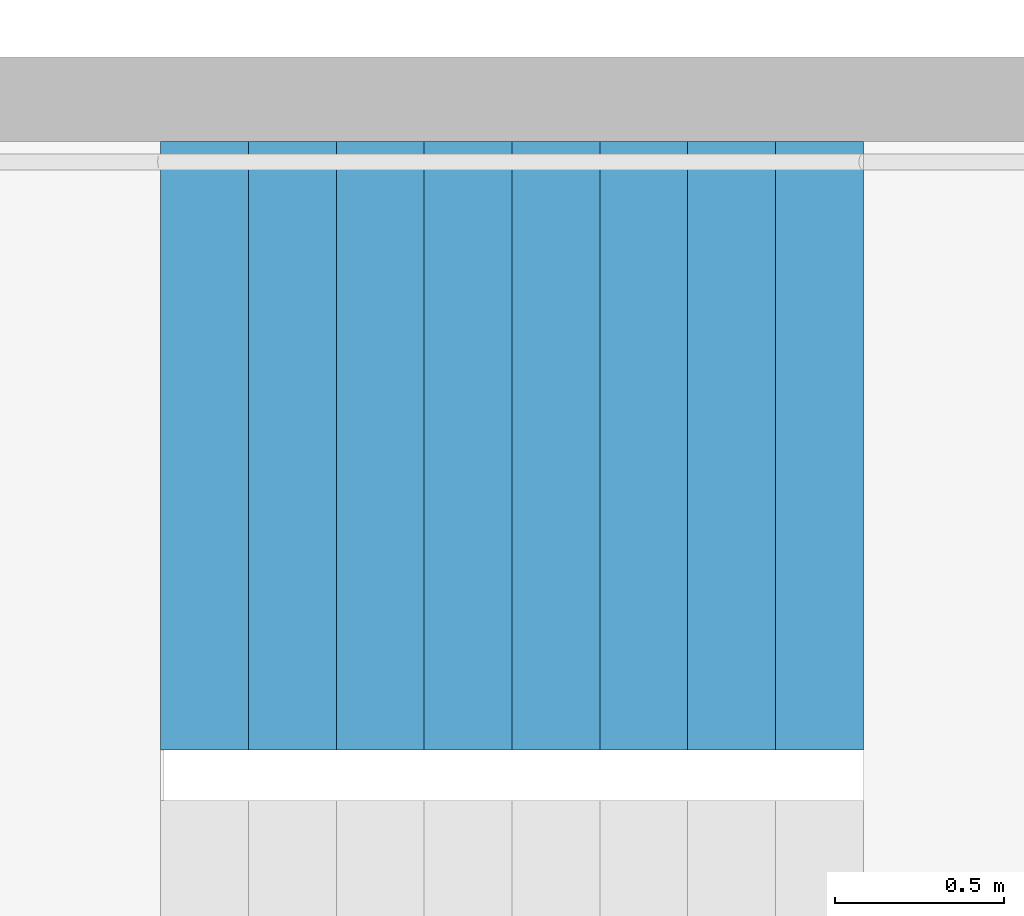
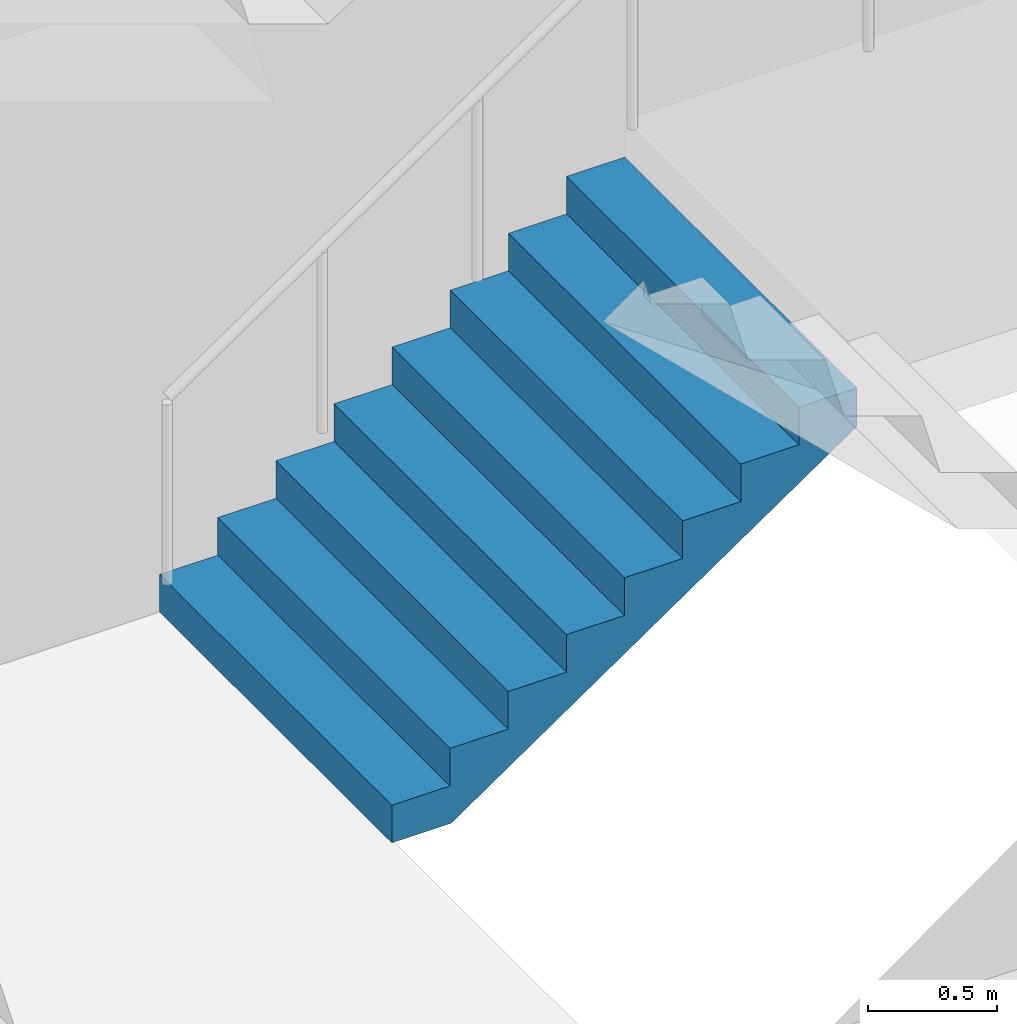
# One storey, part 27 of 43: 1 stair flight, 1 element without a shape of its own.
"""IFC4 building model written with IfcOpenShell, lengths in metres."""

from ifc_helpers import new_model, si_unit, direction, frame, origin, place, context, subcontext, project, spatial, triangles, material, type_object, element, aggregate, save


model = new_model("IFC4")

# Units and contexts
model_context = context("Model", 3, precision=1e-05, world=origin(), true_north=direction((0.0, 1.0)))
body_context = subcontext(model_context, "Body", "Model", "MODEL_VIEW")
ifc_project = project(units=[si_unit("LENGTHUNIT", "METRE"), si_unit("AREAUNIT", "SQUARE_METRE"), si_unit("VOLUMEUNIT", "CUBIC_METRE"), si_unit("PLANEANGLEUNIT", "RADIAN"), si_unit("MASSUNIT", "GRAM", prefix="KILO")], contexts=[model_context])

# Site, building, storey
site_placement = place(None, origin())
site = spatial("IfcSite", under=ifc_project, at=site_placement, CompositionType="ELEMENT")
building_placement = place(site_placement, origin())
building = spatial("IfcBuilding", under=site, at=building_placement, Name="Hakoniwa Tower and Hamabe Station Hall", CompositionType="ELEMENT")
storey_placement = place(building_placement, frame((0.0, 0.0, 124.60009765625)))
storey = spatial("IfcBuildingStorey", under=building, at=storey_placement, Name="L35", CompositionType="ELEMENT", Elevation=124.60009765625)

# Stair, stair flight
ifc_material_1 = material(Name="Concrete C40", Category="concrete")
stair_type = type_object("IfcStairType", Name="ESCAPE STAIR 1800", PredefinedType="HALF_TURN_STAIR", material=ifc_material_1)
stair_placement = place(storey_placement, origin())
stair = element("IfcStair", 1, at=stair_placement, inside=storey, type_object=stair_type, Name="Escape stair ST-4 L35", PredefinedType="HALF_TURN_STAIR")
ifc_material_2 = material(Name="Concrete C40", Category="concrete")
stair_flight_type = type_object("IfcStairFlightType", Name="STAIR FLIGHT 1800", PredefinedType="STRAIGHT", material=ifc_material_2)
stair_flight_placement = place(storey_placement, frame((23.39990234375, -4.64990234375, 0.0), z_axis=(0.0, 0.0, 1.0), x_axis=(1.0, 0.0, 0.0)))
stair_flight = element("IfcStairFlight", 2, at=stair_flight_placement, type_object=stair_flight_type, Name="ST-4 flight 1", NumberOfRisers=9, NumberOfTreads=8, PredefinedType="STRAIGHT", RiserHeight=0.177777778, TreadLength=0.26, context=body_context, shape_type="Tessellation", body=[
    triangles([(0.0, 0.89990234375, 0.0), (0.260009765625, 0.89990234375, 0.0), (0.265625, 0.89990234375, 0.0), (0.52001953125, 0.89990234375, 0.174072265625), (0.780029296875, 0.89990234375, 0.351806640625), (1.0400390625, 0.89990234375, 0.529541015625), (1.300048828125, 0.89990234375, 0.707275390625), (1.56005859375, 0.89990234375, 0.885009765625), (1.820068359375, 0.89990234375, 1.062744140625), (2.080078125, 0.89990234375, 1.24072265625), (2.080078125, 0.89990234375, 1.422119140625), (1.820068359375, 0.89990234375, 1.422119140625), (1.820068359375, 0.89990234375, 1.244384765625), (1.56005859375, 0.89990234375, 1.244384765625), (1.56005859375, 0.89990234375, 1.066650390625), (1.300048828125, 0.89990234375, 1.066650390625), (1.300048828125, 0.89990234375, 0.888916015625), (1.0400390625, 0.89990234375, 0.888916015625), (1.0400390625, 0.89990234375, 0.711181640625), (0.780029296875, 0.89990234375, 0.711181640625), (0.780029296875, 0.89990234375, 0.533447265625), (0.52001953125, 0.89990234375, 0.533447265625), (0.52001953125, 0.89990234375, 0.35546875), (0.265625, 0.89990234375, 0.35546875), (0.260009765625, 0.89990234375, 0.35546875), (0.260009765625, 0.89990234375, 0.177734375), (0.0, 0.89990234375, 0.177734375), (0.0, 0.06005859375, 0.0), (0.260009765625, 0.06005859375, 0.0), (0.265625, 0.06005859375, 0.0), (0.52001953125, 0.06005859375, 0.174072265625), (0.780029296875, 0.06005859375, 0.351806640625), (1.0400390625, 0.06005859375, 0.529541015625), (1.300048828125, 0.06005859375, 0.707275390625), (1.56005859375, 0.06005859375, 0.885009765625), (1.820068359375, 0.06005859375, 1.062744140625), (2.080078125, 0.06005859375, 1.24072265625), (2.080078125, 0.06005859375, 1.422119140625), (1.820068359375, 0.06005859375, 1.422119140625), (1.820068359375, 0.06005859375, 1.244384765625), (1.56005859375, 0.06005859375, 1.244384765625), (1.56005859375, 0.06005859375, 1.066650390625), (1.300048828125, 0.06005859375, 1.066650390625), (1.300048828125, 0.06005859375, 0.888916015625), (1.0400390625, 0.06005859375, 0.888916015625), (1.0400390625, 0.06005859375, 0.711181640625), (0.780029296875, 0.06005859375, 0.711181640625), (0.780029296875, 0.06005859375, 0.533447265625), (0.52001953125, 0.06005859375, 0.533447265625), (0.52001953125, 0.06005859375, 0.35546875), (0.265625, 0.06005859375, 0.35546875), (0.260009765625, 0.06005859375, 0.35546875), (0.260009765625, 0.06005859375, 0.177734375), (0.0, 0.06005859375, 0.177734375), (0.0, 0.04296875, 0.0), (0.260009765625, 0.04296875, 0.0), (0.265625, 0.04296875, 0.0), (0.52001953125, 0.04296875, 0.174072265625), (0.780029296875, 0.04296875, 0.351806640625), (1.0400390625, 0.04296875, 0.529541015625), (1.300048828125, 0.04296875, 0.707275390625), (1.56005859375, 0.04296875, 0.885009765625), (1.820068359375, 0.04296875, 1.062744140625), (2.080078125, 0.04296875, 1.24072265625), (2.080078125, 0.04296875, 1.422119140625), (1.820068359375, 0.04296875, 1.422119140625), (1.820068359375, 0.04296875, 1.244384765625), (1.56005859375, 0.04296875, 1.244384765625), (1.56005859375, 0.04296875, 1.066650390625), (1.300048828125, 0.04296875, 1.066650390625), (1.300048828125, 0.04296875, 0.888916015625), (1.0400390625, 0.04296875, 0.888916015625), (1.0400390625, 0.04296875, 0.711181640625), (0.780029296875, 0.04296875, 0.711181640625), (0.780029296875, 0.04296875, 0.533447265625), (0.52001953125, 0.04296875, 0.533447265625), (0.52001953125, 0.04296875, 0.35546875), (0.265625, 0.04296875, 0.35546875), (0.260009765625, 0.04296875, 0.35546875), (0.260009765625, 0.04296875, 0.177734375), (0.0, 0.04296875, 0.177734375), (0.0, 0.025634765625, 0.0), (0.260009765625, 0.025634765625, 0.0), (0.265625, 0.025634765625, 0.0), (0.52001953125, 0.025634765625, 0.174072265625), (0.780029296875, 0.025634765625, 0.351806640625), (1.0400390625, 0.025634765625, 0.529541015625), (1.300048828125, 0.025634765625, 0.707275390625), (1.56005859375, 0.025634765625, 0.885009765625), (1.820068359375, 0.025634765625, 1.062744140625), (2.080078125, 0.025634765625, 1.24072265625), (2.080078125, 0.025634765625, 1.422119140625), (1.820068359375, 0.025634765625, 1.422119140625), (1.820068359375, 0.025634765625, 1.244384765625), (1.56005859375, 0.025634765625, 1.244384765625), (1.56005859375, 0.025634765625, 1.066650390625), (1.300048828125, 0.025634765625, 1.066650390625), (1.300048828125, 0.025634765625, 0.888916015625), (1.0400390625, 0.025634765625, 0.888916015625), (1.0400390625, 0.025634765625, 0.711181640625), (0.780029296875, 0.025634765625, 0.711181640625), (0.780029296875, 0.025634765625, 0.533447265625), (0.52001953125, 0.025634765625, 0.533447265625), (0.52001953125, 0.025634765625, 0.35546875), (0.265625, 0.025634765625, 0.35546875), (0.260009765625, 0.025634765625, 0.35546875), (0.260009765625, 0.025634765625, 0.177734375), (0.0, 0.025634765625, 0.177734375), (0.0, 0.008544921875, 0.0), (0.260009765625, 0.008544921875, 0.0), (0.265625, 0.008544921875, 0.0), (0.52001953125, 0.008544921875, 0.174072265625), (0.780029296875, 0.008544921875, 0.351806640625), (1.0400390625, 0.008544921875, 0.529541015625), (1.300048828125, 0.008544921875, 0.707275390625), (1.56005859375, 0.008544921875, 0.885009765625), (1.820068359375, 0.008544921875, 1.062744140625), (2.080078125, 0.008544921875, 1.24072265625), (2.080078125, 0.008544921875, 1.422119140625), (1.820068359375, 0.008544921875, 1.422119140625), (1.820068359375, 0.008544921875, 1.244384765625), (1.56005859375, 0.008544921875, 1.244384765625), (1.56005859375, 0.008544921875, 1.066650390625), (1.300048828125, 0.008544921875, 1.066650390625), (1.300048828125, 0.008544921875, 0.888916015625), (1.0400390625, 0.008544921875, 0.888916015625), (1.0400390625, 0.008544921875, 0.711181640625), (0.780029296875, 0.008544921875, 0.711181640625), (0.780029296875, 0.008544921875, 0.533447265625), (0.52001953125, 0.008544921875, 0.533447265625), (0.52001953125, 0.008544921875, 0.35546875), (0.265625, 0.008544921875, 0.35546875), (0.260009765625, 0.008544921875, 0.35546875), (0.260009765625, 0.008544921875, 0.177734375), (0.0, 0.008544921875, 0.177734375), (0.0, -0.008544921875, 0.0), (0.260009765625, -0.008544921875, 0.0), (0.265625, -0.008544921875, 0.0), (0.52001953125, -0.008544921875, 0.174072265625), (0.780029296875, -0.008544921875, 0.351806640625), (1.0400390625, -0.008544921875, 0.529541015625), (1.300048828125, -0.008544921875, 0.707275390625), (1.56005859375, -0.008544921875, 0.885009765625), (1.820068359375, -0.008544921875, 1.062744140625), (2.080078125, -0.008544921875, 1.24072265625), (2.080078125, -0.008544921875, 1.422119140625), (1.820068359375, -0.008544921875, 1.422119140625), (1.820068359375, -0.008544921875, 1.244384765625), (1.56005859375, -0.008544921875, 1.244384765625), (1.56005859375, -0.008544921875, 1.066650390625), (1.300048828125, -0.008544921875, 1.066650390625), (1.300048828125, -0.008544921875, 0.888916015625), (1.0400390625, -0.008544921875, 0.888916015625), (1.0400390625, -0.008544921875, 0.711181640625), (0.780029296875, -0.008544921875, 0.711181640625), (0.780029296875, -0.008544921875, 0.533447265625), (0.52001953125, -0.008544921875, 0.533447265625), (0.52001953125, -0.008544921875, 0.35546875), (0.265625, -0.008544921875, 0.35546875), (0.260009765625, -0.008544921875, 0.35546875), (0.260009765625, -0.008544921875, 0.177734375), (0.0, -0.008544921875, 0.177734375), (0.0, -0.025634765625, 0.0), (0.260009765625, -0.025634765625, 0.0), (0.265625, -0.025634765625, 0.0), (0.52001953125, -0.025634765625, 0.174072265625), (0.780029296875, -0.025634765625, 0.351806640625), (1.0400390625, -0.025634765625, 0.529541015625), (1.300048828125, -0.025634765625, 0.707275390625), (1.56005859375, -0.025634765625, 0.885009765625), (1.820068359375, -0.025634765625, 1.062744140625), (2.080078125, -0.025634765625, 1.24072265625), (2.080078125, -0.025634765625, 1.422119140625), (1.820068359375, -0.025634765625, 1.422119140625), (1.820068359375, -0.025634765625, 1.244384765625), (1.56005859375, -0.025634765625, 1.244384765625), (1.56005859375, -0.025634765625, 1.066650390625), (1.300048828125, -0.025634765625, 1.066650390625), (1.300048828125, -0.025634765625, 0.888916015625), (1.0400390625, -0.025634765625, 0.888916015625), (1.0400390625, -0.025634765625, 0.711181640625), (0.780029296875, -0.025634765625, 0.711181640625), (0.780029296875, -0.025634765625, 0.533447265625), (0.52001953125, -0.025634765625, 0.533447265625), (0.52001953125, -0.025634765625, 0.35546875), (0.265625, -0.025634765625, 0.35546875), (0.260009765625, -0.025634765625, 0.35546875), (0.260009765625, -0.025634765625, 0.177734375), (0.0, -0.025634765625, 0.177734375), (0.0, -0.04296875, 0.0), (0.260009765625, -0.04296875, 0.0), (0.265625, -0.04296875, 0.0), (0.52001953125, -0.04296875, 0.174072265625), (0.780029296875, -0.04296875, 0.351806640625), (1.0400390625, -0.04296875, 0.529541015625), (1.300048828125, -0.04296875, 0.707275390625), (1.56005859375, -0.04296875, 0.885009765625), (1.820068359375, -0.04296875, 1.062744140625), (2.080078125, -0.04296875, 1.24072265625), (2.080078125, -0.04296875, 1.422119140625), (1.820068359375, -0.04296875, 1.422119140625), (1.820068359375, -0.04296875, 1.244384765625), (1.56005859375, -0.04296875, 1.244384765625), (1.56005859375, -0.04296875, 1.066650390625), (1.300048828125, -0.04296875, 1.066650390625), (1.300048828125, -0.04296875, 0.888916015625), (1.0400390625, -0.04296875, 0.888916015625), (1.0400390625, -0.04296875, 0.711181640625), (0.780029296875, -0.04296875, 0.711181640625), (0.780029296875, -0.04296875, 0.533447265625), (0.52001953125, -0.04296875, 0.533447265625), (0.52001953125, -0.04296875, 0.35546875), (0.265625, -0.04296875, 0.35546875), (0.260009765625, -0.04296875, 0.35546875), (0.260009765625, -0.04296875, 0.177734375), (0.0, -0.04296875, 0.177734375), (0.0, -0.06005859375, 0.0), (0.260009765625, -0.06005859375, 0.0), (0.265625, -0.06005859375, 0.0), (0.52001953125, -0.06005859375, 0.174072265625), (0.780029296875, -0.06005859375, 0.351806640625), (1.0400390625, -0.06005859375, 0.529541015625), (1.300048828125, -0.06005859375, 0.707275390625), (1.56005859375, -0.06005859375, 0.885009765625), (1.820068359375, -0.06005859375, 1.062744140625), (2.080078125, -0.06005859375, 1.24072265625), (2.080078125, -0.06005859375, 1.422119140625), (1.820068359375, -0.06005859375, 1.422119140625), (1.820068359375, -0.06005859375, 1.244384765625), (1.56005859375, -0.06005859375, 1.244384765625), (1.56005859375, -0.06005859375, 1.066650390625), (1.300048828125, -0.06005859375, 1.066650390625), (1.300048828125, -0.06005859375, 0.888916015625), (1.0400390625, -0.06005859375, 0.888916015625), (1.0400390625, -0.06005859375, 0.711181640625), (0.780029296875, -0.06005859375, 0.711181640625), (0.780029296875, -0.06005859375, 0.533447265625), (0.52001953125, -0.06005859375, 0.533447265625), (0.52001953125, -0.06005859375, 0.35546875), (0.265625, -0.06005859375, 0.35546875), (0.260009765625, -0.06005859375, 0.35546875), (0.260009765625, -0.06005859375, 0.177734375), (0.0, -0.06005859375, 0.177734375), (0.0, -0.89990234375, 0.0), (0.260009765625, -0.89990234375, 0.0), (0.265625, -0.89990234375, 0.0), (0.52001953125, -0.89990234375, 0.174072265625), (0.780029296875, -0.89990234375, 0.351806640625), (1.0400390625, -0.89990234375, 0.529541015625), (1.300048828125, -0.89990234375, 0.707275390625), (1.56005859375, -0.89990234375, 0.885009765625), (1.820068359375, -0.89990234375, 1.062744140625), (2.080078125, -0.89990234375, 1.24072265625), (2.080078125, -0.89990234375, 1.422119140625), (1.820068359375, -0.89990234375, 1.422119140625), (1.820068359375, -0.89990234375, 1.244384765625), (1.56005859375, -0.89990234375, 1.244384765625), (1.56005859375, -0.89990234375, 1.066650390625), (1.300048828125, -0.89990234375, 1.066650390625), (1.300048828125, -0.89990234375, 0.888916015625), (1.0400390625, -0.89990234375, 0.888916015625), (1.0400390625, -0.89990234375, 0.711181640625), (0.780029296875, -0.89990234375, 0.711181640625), (0.780029296875, -0.89990234375, 0.533447265625), (0.52001953125, -0.89990234375, 0.533447265625), (0.52001953125, -0.89990234375, 0.35546875), (0.265625, -0.89990234375, 0.35546875), (0.260009765625, -0.89990234375, 0.35546875), (0.260009765625, -0.89990234375, 0.177734375), (0.0, -0.89990234375, 0.177734375)], [[2, 27, 26], [245, 269, 270], [2, 1, 27], [245, 270, 244], [3, 25, 24], [246, 267, 268], [3, 26, 25], [246, 268, 269], [3, 2, 26], [246, 269, 245], [4, 24, 23], [247, 266, 267], [4, 3, 24], [247, 267, 246], [5, 22, 21], [248, 264, 265], [5, 23, 22], [248, 265, 266], [5, 4, 23], [248, 266, 247], [6, 20, 19], [249, 262, 263], [6, 21, 20], [249, 263, 264], [6, 5, 21], [249, 264, 248], [7, 18, 17], [250, 260, 261], [7, 19, 18], [250, 261, 262], [7, 6, 19], [250, 262, 249], [8, 16, 15], [251, 258, 259], [8, 17, 16], [251, 259, 260], [8, 7, 17], [251, 260, 250], [9, 14, 13], [252, 256, 257], [9, 15, 14], [252, 257, 258], [9, 8, 15], [252, 258, 251], [10, 12, 11], [253, 254, 255], [10, 13, 12], [253, 255, 256], [10, 9, 13], [253, 256, 252], [1, 2, 29], [1, 29, 28], [28, 29, 56], [28, 56, 55], [55, 56, 83], [55, 83, 82], [82, 83, 110], [82, 110, 109], [109, 110, 137], [109, 137, 136], [136, 137, 164], [136, 164, 163], [163, 164, 191], [163, 191, 190], [190, 191, 218], [190, 218, 217], [217, 218, 245], [217, 245, 244], [2, 3, 30], [2, 30, 29], [29, 30, 57], [29, 57, 56], [56, 57, 84], [56, 84, 83], [83, 84, 111], [83, 111, 110], [110, 111, 138], [110, 138, 137], [137, 138, 165], [137, 165, 164], [164, 165, 192], [164, 192, 191], [191, 192, 219], [191, 219, 218], [218, 219, 246], [218, 246, 245], [3, 4, 31], [3, 31, 30], [30, 31, 58], [30, 58, 57], [57, 58, 85], [57, 85, 84], [84, 85, 112], [84, 112, 111], [111, 112, 139], [111, 139, 138], [138, 139, 166], [138, 166, 165], [165, 166, 193], [165, 193, 192], [192, 193, 220], [192, 220, 219], [219, 220, 247], [219, 247, 246], [4, 5, 32], [4, 32, 31], [31, 32, 59], [31, 59, 58], [58, 59, 86], [58, 86, 85], [85, 86, 113], [85, 113, 112], [112, 113, 140], [112, 140, 139], [139, 140, 167], [139, 167, 166], [166, 167, 194], [166, 194, 193], [193, 194, 221], [193, 221, 220], [220, 221, 248], [220, 248, 247], [5, 6, 33], [5, 33, 32], [32, 33, 60], [32, 60, 59], [59, 60, 87], [59, 87, 86], [86, 87, 114], [86, 114, 113], [113, 114, 141], [113, 141, 140], [140, 141, 168], [140, 168, 167], [167, 168, 195], [167, 195, 194], [194, 195, 222], [194, 222, 221], [221, 222, 249], [221, 249, 248], [6, 7, 34], [6, 34, 33], [33, 34, 61], [33, 61, 60], [60, 61, 88], [60, 88, 87], [87, 88, 115], [87, 115, 114], [114, 115, 142], [114, 142, 141], [141, 142, 169], [141, 169, 168], [168, 169, 196], [168, 196, 195], [195, 196, 223], [195, 223, 222], [222, 223, 250], [222, 250, 249], [7, 8, 35], [7, 35, 34], [34, 35, 62], [34, 62, 61], [61, 62, 89], [61, 89, 88], [88, 89, 116], [88, 116, 115], [115, 116, 143], [115, 143, 142], [142, 143, 170], [142, 170, 169], [169, 170, 197], [169, 197, 196], [196, 197, 224], [196, 224, 223], [223, 224, 251], [223, 251, 250], [8, 9, 36], [8, 36, 35], [35, 36, 63], [35, 63, 62], [62, 63, 90], [62, 90, 89], [89, 90, 117], [89, 117, 116], [116, 117, 144], [116, 144, 143], [143, 144, 171], [143, 171, 170], [170, 171, 198], [170, 198, 197], [197, 198, 225], [197, 225, 224], [224, 225, 252], [224, 252, 251], [9, 10, 37], [9, 37, 36], [36, 37, 64], [36, 64, 63], [63, 64, 91], [63, 91, 90], [90, 91, 118], [90, 118, 117], [117, 118, 145], [117, 145, 144], [144, 145, 172], [144, 172, 171], [171, 172, 199], [171, 199, 198], [198, 199, 226], [198, 226, 225], [225, 226, 253], [225, 253, 252], [10, 11, 38], [10, 38, 37], [37, 38, 65], [37, 65, 64], [64, 65, 92], [64, 92, 91], [91, 92, 119], [91, 119, 118], [118, 119, 146], [118, 146, 145], [145, 146, 173], [145, 173, 172], [172, 173, 200], [172, 200, 199], [199, 200, 227], [199, 227, 226], [226, 227, 254], [226, 254, 253], [11, 12, 39], [11, 39, 38], [38, 39, 66], [38, 66, 65], [65, 66, 93], [65, 93, 92], [92, 93, 120], [92, 120, 119], [119, 120, 147], [119, 147, 146], [146, 147, 174], [146, 174, 173], [173, 174, 201], [173, 201, 200], [200, 201, 228], [200, 228, 227], [227, 228, 255], [227, 255, 254], [12, 13, 40], [12, 40, 39], [39, 40, 67], [39, 67, 66], [66, 67, 94], [66, 94, 93], [93, 94, 121], [93, 121, 120], [120, 121, 148], [120, 148, 147], [147, 148, 175], [147, 175, 174], [174, 175, 202], [174, 202, 201], [201, 202, 229], [201, 229, 228], [228, 229, 256], [228, 256, 255], [13, 14, 41], [13, 41, 40], [40, 41, 68], [40, 68, 67], [67, 68, 95], [67, 95, 94], [94, 95, 122], [94, 122, 121], [121, 122, 149], [121, 149, 148], [148, 149, 176], [148, 176, 175], [175, 176, 203], [175, 203, 202], [202, 203, 230], [202, 230, 229], [229, 230, 257], [229, 257, 256], [14, 15, 42], [14, 42, 41], [41, 42, 69], [41, 69, 68], [68, 69, 96], [68, 96, 95], [95, 96, 123], [95, 123, 122], [122, 123, 150], [122, 150, 149], [149, 150, 177], [149, 177, 176], [176, 177, 204], [176, 204, 203], [203, 204, 231], [203, 231, 230], [230, 231, 258], [230, 258, 257], [15, 16, 43], [15, 43, 42], [42, 43, 70], [42, 70, 69], [69, 70, 97], [69, 97, 96], [96, 97, 124], [96, 124, 123], [123, 124, 151], [123, 151, 150], [150, 151, 178], [150, 178, 177], [177, 178, 205], [177, 205, 204], [204, 205, 232], [204, 232, 231], [231, 232, 259], [231, 259, 258], [16, 17, 44], [16, 44, 43], [43, 44, 71], [43, 71, 70], [70, 71, 98], [70, 98, 97], [97, 98, 125], [97, 125, 124], [124, 125, 152], [124, 152, 151], [151, 152, 179], [151, 179, 178], [178, 179, 206], [178, 206, 205], [205, 206, 233], [205, 233, 232], [232, 233, 260], [232, 260, 259], [17, 18, 45], [17, 45, 44], [44, 45, 72], [44, 72, 71], [71, 72, 99], [71, 99, 98], [98, 99, 126], [98, 126, 125], [125, 126, 153], [125, 153, 152], [152, 153, 180], [152, 180, 179], [179, 180, 207], [179, 207, 206], [206, 207, 234], [206, 234, 233], [233, 234, 261], [233, 261, 260], [18, 19, 46], [18, 46, 45], [45, 46, 73], [45, 73, 72], [72, 73, 100], [72, 100, 99], [99, 100, 127], [99, 127, 126], [126, 127, 154], [126, 154, 153], [153, 154, 181], [153, 181, 180], [180, 181, 208], [180, 208, 207], [207, 208, 235], [207, 235, 234], [234, 235, 262], [234, 262, 261], [19, 20, 47], [19, 47, 46], [46, 47, 74], [46, 74, 73], [73, 74, 101], [73, 101, 100], [100, 101, 128], [100, 128, 127], [127, 128, 155], [127, 155, 154], [154, 155, 182], [154, 182, 181], [181, 182, 209], [181, 209, 208], [208, 209, 236], [208, 236, 235], [235, 236, 263], [235, 263, 262], [20, 21, 48], [20, 48, 47], [47, 48, 75], [47, 75, 74], [74, 75, 102], [74, 102, 101], [101, 102, 129], [101, 129, 128], [128, 129, 156], [128, 156, 155], [155, 156, 183], [155, 183, 182], [182, 183, 210], [182, 210, 209], [209, 210, 237], [209, 237, 236], [236, 237, 264], [236, 264, 263], [21, 22, 49], [21, 49, 48], [48, 49, 76], [48, 76, 75], [75, 76, 103], [75, 103, 102], [102, 103, 130], [102, 130, 129], [129, 130, 157], [129, 157, 156], [156, 157, 184], [156, 184, 183], [183, 184, 211], [183, 211, 210], [210, 211, 238], [210, 238, 237], [237, 238, 265], [237, 265, 264], [22, 23, 50], [22, 50, 49], [49, 50, 77], [49, 77, 76], [76, 77, 104], [76, 104, 103], [103, 104, 131], [103, 131, 130], [130, 131, 158], [130, 158, 157], [157, 158, 185], [157, 185, 184], [184, 185, 212], [184, 212, 211], [211, 212, 239], [211, 239, 238], [238, 239, 266], [238, 266, 265], [23, 24, 51], [23, 51, 50], [50, 51, 78], [50, 78, 77], [77, 78, 105], [77, 105, 104], [104, 105, 132], [104, 132, 131], [131, 132, 159], [131, 159, 158], [158, 159, 186], [158, 186, 185], [185, 186, 213], [185, 213, 212], [212, 213, 240], [212, 240, 239], [239, 240, 267], [239, 267, 266], [24, 25, 52], [24, 52, 51], [51, 52, 79], [51, 79, 78], [78, 79, 106], [78, 106, 105], [105, 106, 133], [105, 133, 132], [132, 133, 160], [132, 160, 159], [159, 160, 187], [159, 187, 186], [186, 187, 214], [186, 214, 213], [213, 214, 241], [213, 241, 240], [240, 241, 268], [240, 268, 267], [25, 26, 53], [25, 53, 52], [52, 53, 80], [52, 80, 79], [79, 80, 107], [79, 107, 106], [106, 107, 134], [106, 134, 133], [133, 134, 161], [133, 161, 160], [160, 161, 188], [160, 188, 187], [187, 188, 215], [187, 215, 214], [214, 215, 242], [214, 242, 241], [241, 242, 269], [241, 269, 268], [26, 27, 54], [26, 54, 53], [53, 54, 81], [53, 81, 80], [80, 81, 108], [80, 108, 107], [107, 108, 135], [107, 135, 134], [134, 135, 162], [134, 162, 161], [161, 162, 189], [161, 189, 188], [188, 189, 216], [188, 216, 215], [215, 216, 243], [215, 243, 242], [242, 243, 270], [242, 270, 269], [27, 1, 28], [27, 28, 54], [54, 28, 55], [54, 55, 81], [81, 55, 82], [81, 82, 108], [108, 82, 109], [108, 109, 135], [135, 109, 136], [135, 136, 162], [162, 136, 163], [162, 163, 189], [189, 163, 190], [189, 190, 216], [216, 190, 217], [216, 217, 243], [243, 217, 244], [243, 244, 270]], closed=True),
])
aggregate(stair, [stair_flight])

save(model, "model.ifc")
